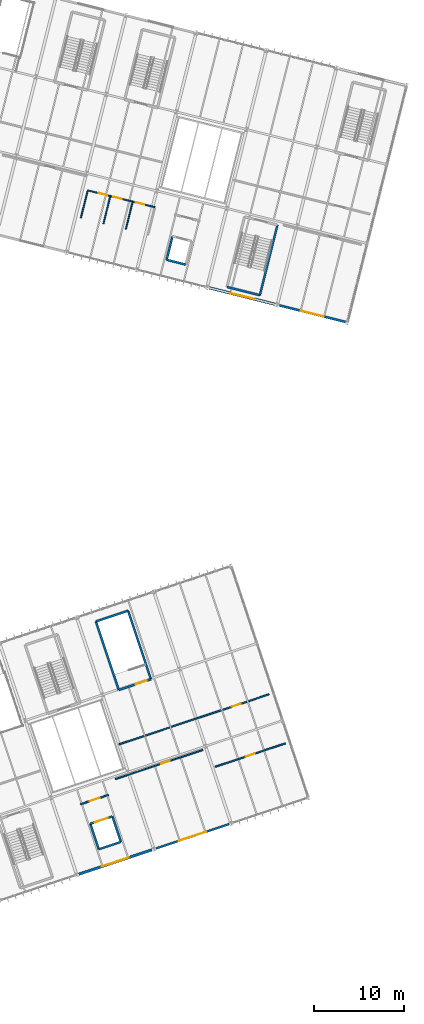
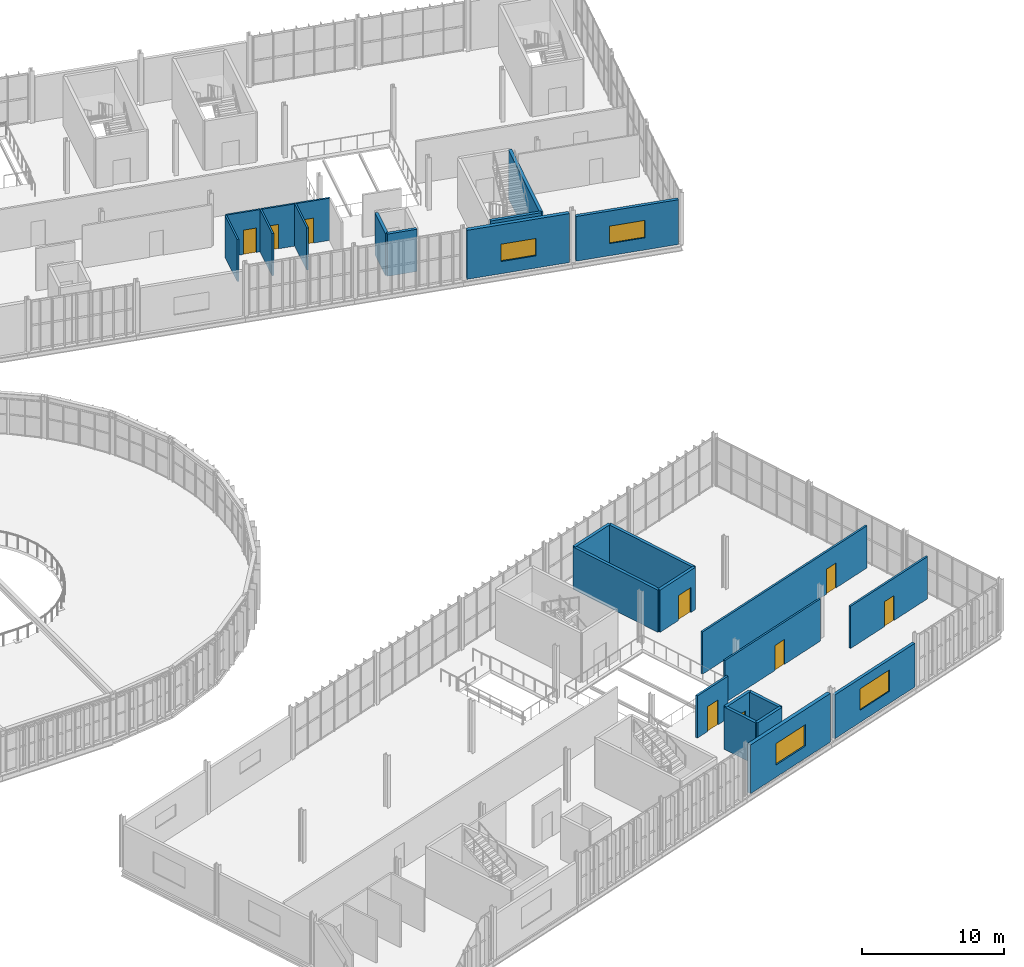
# One storey, part 124 of 152: 26 walls, 9 doors, 4 windows, 13 openings.
"""IFC4 building model written with IfcOpenShell, lengths in metres."""

from ifc_helpers import new_model, si_unit, derived_unit, direction, frame, frame_2d, origin, place, context, subcontext, project, spatial, rectangle, extrude, material, layer, layer_set, type_object, element, fill, save


model = new_model("IFC4")

# Units and contexts
model_context = context("Model", 3, precision=1e-05, world=origin(), true_north=direction((0.0, 1.0)))
body_context = subcontext(model_context, "Body", "Model", "MODEL_VIEW")
ifc_project = project(units=[si_unit("LENGTHUNIT", "METRE"), si_unit("AREAUNIT", "SQUARE_METRE"), si_unit("VOLUMEUNIT", "CUBIC_METRE"), si_unit("PLANEANGLEUNIT", "RADIAN"), si_unit("MASSUNIT", "GRAM", prefix="KILO"), si_unit("THERMODYNAMICTEMPERATUREUNIT", "KELVIN"), si_unit("TIMEUNIT", "SECOND"), derived_unit("THERMALTRANSMITTANCEUNIT", [(si_unit("MASSUNIT", "GRAM", prefix="KILO"), 1), (si_unit("THERMODYNAMICTEMPERATUREUNIT", "KELVIN"), -1), (si_unit("TIMEUNIT", "SECOND"), -3)])], contexts=[model_context])

# Site, building, storey
site_placement = place(None, origin())
site = spatial("IfcSite", under=ifc_project, at=site_placement, CompositionType="ELEMENT")
building_placement = place(site_placement, origin())
building = spatial("IfcBuilding", under=site, at=building_placement, Name="Cambertide Market Hall", CompositionType="ELEMENT")
storey_placement = place(building_placement, frame((0.0, 0.0, 5.39990234375)))
storey = spatial("IfcBuildingStorey", under=building, at=storey_placement, Name="L02", CompositionType="ELEMENT", Elevation=5.39990234375)

# Wall, opening, door
ifc_material_1 = material(Name="Autoclaved Aerated Concrete Blockwork M7.5", Category="masonry")
ifc_layer_1 = layer(ifc_material_1, 0.14990234375, Name="Culinary Classroom Acoustic Partition 150")
ifc_layer_set_1 = layer_set([ifc_layer_1], Name="Autoclaved Aerated Concrete Blockwork M7.5")
wall_type_1 = type_object("IfcWallType", Name="Culinary Classroom Acoustic Partition 150", PredefinedType="PARTITIONING", material=ifc_layer_set_1)
wall_1_placement = place(storey_placement, frame((144.421630859375, 33.977783203125, 0.0), z_axis=(0.0, 0.0, 1.0), x_axis=(0.94868090448, 0.316234946638, 0.0)))
wall_1 = element("IfcWall", 1, at=wall_1_placement, inside=storey, type_object=wall_type_1, Name="Level 2 Interior Wall IW-L02-V3S2", PredefinedType="PARTITIONING", context=body_context, shape_type="SweptSolid", body=[
    extrude(rectangle(XDim=10.199951171875, YDim=0.14990234375, at=frame_2d((5.10009765625, 0.0))), origin(), (0.0, 0.0, 1.0), 3.64013671875),
])
opening_1_placement = place(wall_1_placement, frame((5.3359375, 0.0, 0.0)))
opening_1 = element("IfcOpeningElement", 2, at=opening_1_placement, cuts=wall_1, Name="Opening ID-03", PredefinedType="OPENING", context=body_context, shape_type="SweptSolid", body=[
    extrude(rectangle(XDim=1.0, YDim=2.14990234375, at=frame_2d((0.5, 1.074951171875))), frame((0.0, 0.0849609375, 0.0), z_axis=(0.0, -1.0, 0.0), x_axis=(1.0, 0.0, 0.0)), (0.0, 0.0, 1.0), 0.169921875),
])
ifc_material_2 = material(Name="Champagne Marine Anodized Aluminium 6063-T6 AA25", Category="aluminium")
door_type_1 = type_object("IfcDoorType", Name="Accessible Room Single Door 1000x2150", OperationType="NOTDEFINED", PredefinedType="DOOR", material=ifc_material_2)
door_1_placement = place(opening_1_placement, origin())
door_1 = element("IfcDoor", 3, at=door_1_placement, inside=storey, type_object=door_type_1, Name="Level 2 Door IW-L02-V3S2-DR1", OperationType="SINGLE_SWING_LEFT", OverallHeight=2.14990234375, OverallWidth=1.0, PredefinedType="DOOR", context=body_context, shape_type="SweptSolid", body=[
    extrude(rectangle(XDim=1.0, YDim=2.14990234375, at=frame_2d((0.5, 1.074951171875))), frame((0.0, 0.02490234375, 0.0), z_axis=(0.0, -1.0, 0.0), x_axis=(1.0, 0.0, 0.0)), (0.0, 0.0, 1.0), 0.050048828125),
])
fill(opening_1, door_1)

ifc_material_3 = material(Name="Autoclaved Aerated Concrete Blockwork M7.5", Category="masonry")
ifc_layer_2 = layer(ifc_material_3, 0.159912109375, Name="Fire-Rated Corridor & Kitchen Partition 160")
ifc_layer_set_2 = layer_set([ifc_layer_2], Name="Autoclaved Aerated Concrete Blockwork M7.5")
wall_type_2 = type_object("IfcWallType", Name="Fire-Rated Corridor & Kitchen Partition 160", PredefinedType="PARTITIONING", material=ifc_layer_set_2)
wall_2_placement = place(storey_placement, frame((144.826416015625, 37.8232421875, 0.0), z_axis=(0.0, 0.0, 1.0), x_axis=(0.948684693125, 0.316223580763, 0.0)))
wall_2 = element("IfcWall", 4, at=wall_2_placement, inside=storey, type_object=wall_type_2, Name="Level 2 Interior Wall IW-L02-V3C-45", PredefinedType="PARTITIONING", context=body_context, shape_type="SweptSolid", body=[
    extrude(rectangle(XDim=17.5, YDim=0.159912109375, at=frame_2d((8.75, 0.0))), origin(), (0.0, 0.0, 1.0), 3.64013671875),
])
opening_2_placement = place(wall_2_placement, frame((13.159912109375, 0.0, 0.0)))
opening_2 = element("IfcOpeningElement", 5, at=opening_2_placement, cuts=wall_2, Name="Opening KD-01", PredefinedType="OPENING", context=body_context, shape_type="SweptSolid", body=[
    extrude(rectangle(XDim=1.050048828125, YDim=2.14990234375, at=frame_2d((0.52490234375, 1.074951171875))), frame((0.0, 0.08984375, 0.0), z_axis=(0.0, -1.0, 0.0), x_axis=(1.0, 0.0, 0.0)), (0.0, 0.0, 1.0), 0.179931640625),
])
ifc_material_4 = material(Name="Stainless Steel Grade 316", Category="metal")
door_type_2 = type_object("IfcDoorType", Name="Kitchen & Lab Fire Door 1050x2150", OperationType="NOTDEFINED", PredefinedType="DOOR", material=ifc_material_4)
door_2_placement = place(opening_2_placement, origin())
door_2 = element("IfcDoor", 6, at=door_2_placement, inside=storey, type_object=door_type_2, Name="Level 2 Door IW-L02-V3C-45-DR1", OperationType="SINGLE_SWING_LEFT", OverallHeight=2.14990234375, OverallWidth=1.050048828125, PredefinedType="DOOR", context=body_context, shape_type="SweptSolid", body=[
    extrude(rectangle(XDim=1.050048828125, YDim=2.14990234375, at=frame_2d((0.52490234375, 1.074951171875))), frame((0.0, 0.02490234375, 0.0), z_axis=(0.0, -1.0, 0.0), x_axis=(1.0, 0.0, 0.0)), (0.0, 0.0, 1.0), 0.050048828125),
])
fill(opening_2, door_2)

wall_3_placement = place(storey_placement, frame((155.4580078125, 35.337646484375, 0.0), z_axis=(0.0, 0.0, 1.0), x_axis=(0.948686275307, 0.316218834108, 0.0)))
wall_3 = element("IfcWall", 7, at=wall_3_placement, inside=storey, type_object=wall_type_2, Name="Level 2 Interior Wall IW-L02-V3P", PredefinedType="PARTITIONING", context=body_context, shape_type="SweptSolid", body=[
    extrude(rectangle(XDim=8.199951171875, YDim=0.159912109375, at=frame_2d((4.10009765625, 0.0))), origin(), (0.0, 0.0, 1.0), 3.64013671875),
])
opening_3_placement = place(wall_3_placement, frame((3.574951171875, 0.0, 0.0)))
opening_3 = element("IfcOpeningElement", 8, at=opening_3_placement, cuts=wall_3, Name="Opening KD-01", PredefinedType="OPENING", context=body_context, shape_type="SweptSolid", body=[
    extrude(rectangle(XDim=1.050048828125, YDim=2.14990234375, at=frame_2d((0.52490234375, 1.074951171875))), frame((0.0, 0.08984375, 0.0), z_axis=(0.0, -1.0, 0.0), x_axis=(1.0, 0.0, 0.0)), (0.0, 0.0, 1.0), 0.179931640625),
])
door_3_placement = place(opening_3_placement, origin())
door_3 = element("IfcDoor", 9, at=door_3_placement, inside=storey, type_object=door_type_2, Name="Level 2 Door IW-L02-V3P-DR1", OperationType="SINGLE_SWING_RIGHT", OverallHeight=2.14990234375, OverallWidth=1.050048828125, PredefinedType="DOOR", context=body_context, shape_type="SweptSolid", body=[
    extrude(rectangle(XDim=1.050048828125, YDim=2.14990234375, at=frame_2d((0.52490234375, 1.074951171875))), frame((0.0, 0.02490234375, 0.0), z_axis=(0.0, -1.0, 0.0), x_axis=(1.0, 0.0, 0.0)), (0.0, 0.0, 1.0), 0.050048828125),
])
fill(opening_3, door_3)

# Wall, opening, window
ifc_material_5 = material(Name="Autoclaved Aerated Concrete Blockwork M7.5", Category="masonry")
ifc_layer_3 = layer(ifc_material_5, 0.235107421875, Name="Food Court Acoustic Facade Wall 235")
ifc_layer_set_3 = layer_set([ifc_layer_3], Name="Autoclaved Aerated Concrete Blockwork M7.5")
wall_type_3 = type_object("IfcWallType", Name="Food Court Acoustic Facade Wall 235", PredefinedType="SOLIDWALL", material=ifc_layer_set_3)
wall_4_placement = place(storey_placement, frame((157.001220703125, 29.00048828125, 0.0), z_axis=(0.0, 0.0, 1.0), x_axis=(-0.948680432514, -0.316236362498, 0.0)))
wall_4 = element("IfcWall", 10, at=wall_4_placement, inside=storey, type_object=wall_type_3, Name="Level 2 Exterior Wall EW-L02-V3S-6", PredefinedType="SOLIDWALL", context=body_context, shape_type="SweptSolid", body=[
    extrude(rectangle(XDim=8.52001953125, YDim=0.235107421875, at=frame_2d((4.260009765625, 0.0))), origin(), (0.0, 0.0, 1.0), 3.775146484375),
])
opening_4_placement = place(wall_4_placement, frame((2.68505859375, 0.0, 1.050048828125)))
opening_4 = element("IfcOpeningElement", 11, at=opening_4_placement, cuts=wall_4, Name="Opening WN-04B", PredefinedType="OPENING", context=body_context, shape_type="SweptSolid", body=[
    extrude(rectangle(XDim=3.14990234375, YDim=1.85009765625, at=frame_2d((1.574951171875, 0.925048828125))), frame((0.0, 0.12744140625, 0.0), z_axis=(0.0, -1.0, 0.0), x_axis=(1.0, 0.0, 0.0)), (0.0, 0.0, 1.0), 0.255126953125),
])
ifc_material_6 = material(Name="Low-E Laminated Insulated Glass", Category="glass")
window_type_1 = type_object("IfcWindowType", Name="Riverfront Gallery Window 3150x1850", PartitioningType="SINGLE_PANEL", PredefinedType="WINDOW", material=ifc_material_6)
window_1_placement = place(opening_4_placement, origin())
window_1 = element("IfcWindow", 12, at=window_1_placement, inside=storey, type_object=window_type_1, Name="Level 2 Window EW-L02-V3S-6-WN", OverallHeight=1.85009765625, OverallWidth=3.14990234375, PartitioningType="SINGLE_PANEL", PredefinedType="WINDOW", context=body_context, shape_type="SweptSolid", body=[
    extrude(rectangle(XDim=3.14990234375, YDim=1.85009765625, at=frame_2d((1.574951171875, 0.925048828125))), frame((0.0, 0.030029296875, 0.0), z_axis=(0.0, -1.0, 0.0), x_axis=(1.0, 0.0, 0.0)), (0.0, 0.0, 1.0), 0.06005859375),
])
fill(opening_4, window_1)

ifc_material_7 = material(Name="Autoclaved Aerated Concrete Blockwork M7.5", Category="masonry")
ifc_layer_4 = layer(ifc_material_7, 0.25, Name="Insulated AAC Exterior Infill Wall 250")
ifc_layer_set_4 = layer_set([ifc_layer_4], Name="Autoclaved Aerated Concrete Blockwork M7.5")
wall_type_4 = type_object("IfcWallType", Name="Insulated AAC Exterior Infill Wall 250", PredefinedType="SOLIDWALL", material=ifc_layer_set_4)
wall_5_placement = place(storey_placement, frame((169.856201171875, 84.535888671875, 0.0), z_axis=(0.0, 0.0, 1.0), x_axis=(-0.970138680536, 0.242550902961, 0.0)))
wall_5 = element("IfcWall", 13, at=wall_5_placement, inside=storey, type_object=wall_type_4, Name="Level 2 Exterior Wall EW-L02-V4S-8", PredefinedType="SOLIDWALL", context=body_context, shape_type="SweptSolid", body=[
    extrude(rectangle(XDim=7.52001953125, YDim=0.25, at=frame_2d((3.760009765625, 0.0))), origin(), (0.0, 0.0, 1.0), 3.85498046875),
])
opening_5_placement = place(wall_5_placement, frame((2.4599609375, 0.0, 1.050048828125)))
opening_5 = element("IfcOpeningElement", 14, at=opening_5_placement, cuts=wall_5, Name="Opening WN-06", PredefinedType="OPENING", context=body_context, shape_type="SweptSolid", body=[
    extrude(rectangle(XDim=2.60009765625, YDim=1.5, at=frame_2d((1.300048828125, 0.75))), frame((0.0, 0.135009765625, 0.0), z_axis=(0.0, -1.0, 0.0), x_axis=(1.0, 0.0, 0.0)), (0.0, 0.0, 1.0), 0.27001953125),
])
ifc_material_8 = material(Name="Low-E Laminated Insulated Glass", Category="glass")
window_type_2 = type_object("IfcWindowType", Name="Food Safety Lab Window 2600x1500", PartitioningType="SINGLE_PANEL", PredefinedType="WINDOW", material=ifc_material_8)
window_2_placement = place(opening_5_placement, origin())
window_2 = element("IfcWindow", 15, at=window_2_placement, inside=storey, type_object=window_type_2, Name="Level 2 Window EW-L02-V4S-8-WN", OverallHeight=1.5, OverallWidth=2.60009765625, PartitioningType="SINGLE_PANEL", PredefinedType="WINDOW", context=body_context, shape_type="SweptSolid", body=[
    extrude(rectangle(XDim=2.60009765625, YDim=1.5, at=frame_2d((1.300048828125, 0.75))), frame((0.0, 0.030029296875, 0.0), z_axis=(0.0, -1.0, 0.0), x_axis=(1.0, 0.0, 0.0)), (0.0, 0.0, 1.0), 0.06005859375),
])
fill(opening_5, window_2)

# Wall, opening, door
ifc_material_9 = material(Name="Autoclaved Aerated Concrete Blockwork M7.5", Category="masonry")
ifc_layer_5 = layer(ifc_material_9, 0.169921875, Name="Lift Lobby Fire Partition 170")
ifc_layer_set_5 = layer_set([ifc_layer_5], Name="Autoclaved Aerated Concrete Blockwork M7.5")
wall_type_5 = type_object("IfcWallType", Name="Lift Lobby Fire Partition 170", PredefinedType="PARTITIONING", material=ifc_layer_set_5)
wall_6_placement = place(storey_placement, frame((140.5732421875, 31.1982421875, 0.0), z_axis=(0.0, 0.0, 1.0), x_axis=(0.948698274856, 0.316182832053, 0.0)))
wall_6 = element("IfcWall", 16, at=wall_6_placement, inside=storey, type_object=wall_type_5, Name="Level 2 Interior Wall LLW-LG-02-L02", PredefinedType="PARTITIONING", context=body_context, shape_type="SweptSolid", body=[
    extrude(rectangle(XDim=3.260009765625, YDim=0.169921875, at=frame_2d((1.6298828125, 0.0))), origin(), (0.0, 0.0, 1.0), 3.64013671875),
])
opening_6_placement = place(wall_6_placement, frame((1.054931640625, 0.0, 0.0)))
opening_6 = element("IfcOpeningElement", 17, at=opening_6_placement, cuts=wall_6, Name="Opening KD-02", PredefinedType="OPENING", context=body_context, shape_type="SweptSolid", body=[
    extrude(rectangle(XDim=1.14990234375, YDim=2.14990234375, at=frame_2d((0.574951171875, 1.074951171875))), frame((0.0, 0.094970703125, 0.0), z_axis=(0.0, -1.0, 0.0), x_axis=(1.0, 0.0, 0.0)), (0.0, 0.0, 1.0), 0.18994140625),
])
ifc_material_10 = material(Name="Stainless Steel Grade 316", Category="metal")
door_type_3 = type_object("IfcDoorType", Name="Lift Lobby Smoke-Stop Door 1150x2150", OperationType="NOTDEFINED", PredefinedType="DOOR", material=ifc_material_10)
door_4_placement = place(opening_6_placement, origin())
door_4 = element("IfcDoor", 18, at=door_4_placement, inside=storey, type_object=door_type_3, Name="Level 2 Door LLW-LG-02-L02-DR1", OperationType="SINGLE_SWING_RIGHT", OverallHeight=2.14990234375, OverallWidth=1.14990234375, PredefinedType="DOOR", context=body_context, shape_type="SweptSolid", body=[
    extrude(rectangle(XDim=1.14990234375, YDim=2.14990234375, at=frame_2d((0.574951171875, 1.074951171875))), frame((0.0, 0.02490234375, 0.0), z_axis=(0.0, -1.0, 0.0), x_axis=(1.0, 0.0, 0.0)), (0.0, 0.0, 1.0), 0.050048828125),
])
fill(opening_6, door_4)

ifc_material_11 = material(Name="Autoclaved Aerated Concrete Blockwork M7.5", Category="masonry")
ifc_layer_6 = layer(ifc_material_11, 0.139892578125, Name="Sanitary & Wet-Area Masonry Partition 140")
ifc_layer_set_6 = layer_set([ifc_layer_6], Name="Autoclaved Aerated Concrete Blockwork M7.5")
wall_type_6 = type_object("IfcWallType", Name="Sanitary & Wet-Area Masonry Partition 140", PredefinedType="PARTITIONING", material=ifc_layer_set_6)
wall_7_placement = place(storey_placement, frame((141.372802734375, 99.078369140625, 0.0), z_axis=(0.0, 0.0, 1.0), x_axis=(0.970148131734, -0.242513097571, 0.0)))
wall_7 = element("IfcWall", 19, at=wall_7_placement, inside=storey, type_object=wall_type_6, Name="Level 2 Interior Wall WCW-L02-L02B-F1", PredefinedType="PARTITIONING", context=body_context, shape_type="SweptSolid", body=[
    extrude(rectangle(XDim=2.550048828125, YDim=0.139892578125, at=frame_2d((1.27490234375, 0.0))), origin(), (0.0, 0.0, 1.0), 3.64013671875),
])
opening_7_placement = place(wall_7_placement, frame((1.280029296875, 0.0, 0.0)))
opening_7 = element("IfcOpeningElement", 20, at=opening_7_placement, cuts=wall_7, Name="Opening ID-04", PredefinedType="OPENING", context=body_context, shape_type="SweptSolid", body=[
    extrude(rectangle(XDim=0.949951171875, YDim=2.10009765625, at=frame_2d((0.47509765625, 1.050048828125))), frame((0.0, 0.079833984375, 0.0), z_axis=(0.0, -1.0, 0.0), x_axis=(1.0, 0.0, 0.0)), (0.0, 0.0, 1.0), 0.159912109375),
])
ifc_material_12 = material(Name="Champagne Marine Anodized Aluminium 6063-T6 AA25", Category="aluminium")
door_type_4 = type_object("IfcDoorType", Name="WC & Office Single Door 950x2100", OperationType="NOTDEFINED", PredefinedType="DOOR", material=ifc_material_12)
door_5_placement = place(opening_7_placement, origin())
door_5 = element("IfcDoor", 21, at=door_5_placement, inside=storey, type_object=door_type_4, Name="Level 2 Door WCW-L02-L02B-F1-DR1", OperationType="SINGLE_SWING_RIGHT", OverallHeight=2.10009765625, OverallWidth=0.949951171875, PredefinedType="DOOR", context=body_context, shape_type="SweptSolid", body=[
    extrude(rectangle(XDim=0.949951171875, YDim=2.10009765625, at=frame_2d((0.47509765625, 1.050048828125))), frame((0.0, 0.02490234375, 0.0), z_axis=(0.0, -1.0, 0.0), x_axis=(1.0, 0.0, 0.0)), (0.0, 0.0, 1.0), 0.050048828125),
])
fill(opening_7, door_5)

wall_8_placement = place(storey_placement, frame((143.895263671875, 98.44775390625, 0.0), z_axis=(0.0, 0.0, 1.0), x_axis=(0.970153988463, -0.242489667139, 0.0)))
wall_8 = element("IfcWall", 22, at=wall_8_placement, inside=storey, type_object=wall_type_6, Name="Level 2 Interior Wall WCW-L02-L02B-F2", PredefinedType="PARTITIONING", context=body_context, shape_type="SweptSolid", body=[
    extrude(rectangle(XDim=2.5, YDim=0.139892578125, at=frame_2d((1.25, 0.0))), origin(), (0.0, 0.0, 1.0), 3.64013671875),
])
opening_8_placement = place(wall_8_placement, frame((0.320068359375, 0.0, 0.0)))
opening_8 = element("IfcOpeningElement", 23, at=opening_8_placement, cuts=wall_8, Name="Opening ID-04", PredefinedType="OPENING", context=body_context, shape_type="SweptSolid", body=[
    extrude(rectangle(XDim=0.949951171875, YDim=2.10009765625, at=frame_2d((0.47509765625, 1.050048828125))), frame((0.0, 0.079833984375, 0.0), z_axis=(0.0, -1.0, 0.0), x_axis=(1.0, 0.0, 0.0)), (0.0, 0.0, 1.0), 0.159912109375),
])
door_6_placement = place(opening_8_placement, origin())
door_6 = element("IfcDoor", 24, at=door_6_placement, inside=storey, type_object=door_type_4, Name="Level 2 Door WCW-L02-L02B-F2-DR1", OperationType="SINGLE_SWING_LEFT", OverallHeight=2.10009765625, OverallWidth=0.949951171875, PredefinedType="DOOR", context=body_context, shape_type="SweptSolid", body=[
    extrude(rectangle(XDim=0.949951171875, YDim=2.10009765625, at=frame_2d((0.47509765625, 1.050048828125))), frame((0.0, 0.02490234375, 0.0), z_axis=(0.0, -1.0, 0.0), x_axis=(1.0, 0.0, 0.0)), (0.0, 0.0, 1.0), 0.050048828125),
])
fill(opening_8, door_6)

wall_9_placement = place(storey_placement, frame((146.369140625, 97.829345703125, 0.0), z_axis=(0.0, 0.0, 1.0), x_axis=(0.970131009923, -0.242581581301, 0.0)))
wall_9 = element("IfcWall", 25, at=wall_9_placement, inside=storey, type_object=wall_type_6, Name="Level 2 Interior Wall WCW-L02-L02B-F3", PredefinedType="PARTITIONING", context=body_context, shape_type="SweptSolid", body=[
    extrude(rectangle(XDim=2.5, YDim=0.139892578125, at=frame_2d((1.25, 0.0))), origin(), (0.0, 0.0, 1.0), 3.64013671875),
])
opening_9_placement = place(wall_9_placement, frame((0.320068359375, 0.0, 0.0)))
opening_9 = element("IfcOpeningElement", 26, at=opening_9_placement, cuts=wall_9, Name="Opening ID-05", PredefinedType="OPENING", context=body_context, shape_type="SweptSolid", body=[
    extrude(rectangle(XDim=0.97998046875, YDim=2.14990234375, at=frame_2d((0.489990234375, 1.074951171875))), frame((0.0, 0.079833984375, 0.0), z_axis=(0.0, -1.0, 0.0), x_axis=(1.0, 0.0, 0.0)), (0.0, 0.0, 1.0), 0.159912109375),
])
ifc_material_13 = material(Name="Champagne Marine Anodized Aluminium 6063-T6 AA25", Category="aluminium")
door_type_5 = type_object("IfcDoorType", Name="Accessible WC Outward Door 980x2150", OperationType="NOTDEFINED", PredefinedType="DOOR", material=ifc_material_13)
door_7_placement = place(opening_9_placement, origin())
door_7 = element("IfcDoor", 27, at=door_7_placement, inside=storey, type_object=door_type_5, Name="Level 2 Door WCW-L02-L02B-F3-DR1", OperationType="SINGLE_SWING_RIGHT", OverallHeight=2.14990234375, OverallWidth=0.97998046875, PredefinedType="DOOR", context=body_context, shape_type="SweptSolid", body=[
    extrude(rectangle(XDim=0.97998046875, YDim=2.14990234375, at=frame_2d((0.489990234375, 1.074951171875))), frame((0.0, 0.02490234375, 0.0), z_axis=(0.0, -1.0, 0.0), x_axis=(1.0, 0.0, 0.0)), (0.0, 0.0, 1.0), 0.050048828125),
])
fill(opening_9, door_7)

# Walls
wall_10_placement = place(storey_placement, frame((143.102294921875, 95.399169921875, 0.0), z_axis=(0.0, 0.0, 1.0), x_axis=(0.242498561862, 0.970151765187, 0.0)))
element("IfcWall", 28, at=wall_10_placement, inside=storey, type_object=wall_type_6, Name="Level 2 Interior Wall WCW-L02-L02B-D1", PredefinedType="PARTITIONING", context=body_context, shape_type="SweptSolid", body=[
    extrude(rectangle(XDim=3.099853515625, YDim=0.139892578125, at=frame_2d((1.5498046875, 0.0))), origin(), (0.0, 0.0, 1.0), 3.64013671875),
])
wall_11_placement = place(storey_placement, frame((145.575927734375, 94.780517578125, 0.0), z_axis=(0.0, 0.0, 1.0), x_axis=(0.242554154721, 0.970137867536, 0.0)))
element("IfcWall", 29, at=wall_11_placement, inside=storey, type_object=wall_type_6, Name="Level 2 Interior Wall WCW-L02-L02B-D2", PredefinedType="PARTITIONING", context=body_context, shape_type="SweptSolid", body=[
    extrude(rectangle(XDim=3.10009765625, YDim=0.139892578125, at=frame_2d((1.550048828125, 0.0))), origin(), (0.0, 0.0, 1.0), 3.64013671875),
])
wall_12_placement = place(storey_placement, frame((140.60888671875, 96.0224609375, 0.0), z_axis=(0.0, 0.0, 1.0), x_axis=(0.242572687149, 0.970133233865, 0.0)))
element("IfcWall", 30, at=wall_12_placement, inside=storey, type_object=wall_type_6, Name="Level 2 Interior Wall WCW-L02-L02B-L", PredefinedType="PARTITIONING", context=body_context, shape_type="SweptSolid", body=[
    extrude(rectangle(XDim=3.099853515625, YDim=0.139892578125, at=frame_2d((1.5498046875, 0.0))), origin(), (0.0, 0.0, 1.0), 3.64013671875),
])

# Wall, opening, door
ifc_material_14 = material(Name="Concrete B35", Category="concrete")
ifc_layer_7 = layer(ifc_material_14, 0.239990234375, Name="Stair & Lift Core Shaft Wall 240")
ifc_layer_set_7 = layer_set([ifc_layer_7], Name="Concrete B35")
wall_type_7 = type_object("IfcWallType", Name="Stair & Lift Core Shaft Wall 240", PredefinedType="SOLIDWALL", material=ifc_layer_set_7)
wall_13_placement = place(storey_placement, frame((148.358642578125, 45.01416015625, 0.0), z_axis=(0.0, 0.0, 1.0), x_axis=(-0.94868980821, -0.316208234867, 0.0)))
wall_13 = element("IfcWall", 31, at=wall_13_placement, inside=storey, type_object=wall_type_7, Name="Level 2 Interior Wall SHW-ST-05B-L02-NEAR", PredefinedType="SOLIDWALL", context=body_context, shape_type="SweptSolid", body=[
    extrude(rectangle(XDim=3.75, YDim=0.239990234375, at=frame_2d((1.875, 0.0))), origin(), (0.0, 0.0, 1.0), 3.64013671875),
])
opening_10_placement = place(wall_13_placement, frame((0.489990234375, 0.0, 0.0)))
opening_10 = element("IfcOpeningElement", 32, at=opening_10_placement, cuts=wall_13, Name="Opening FD-01", PredefinedType="OPENING", context=body_context, shape_type="SweptSolid", body=[
    extrude(rectangle(XDim=1.300048828125, YDim=2.14990234375, at=frame_2d((0.64990234375, 1.074951171875))), frame((0.0, 0.1298828125, 0.0), z_axis=(0.0, -1.0, 0.0), x_axis=(1.0, 0.0, 0.0)), (0.0, 0.0, 1.0), 0.260009765625),
])
ifc_material_15 = material(Name="Powder-Coated Galvanized Sheet Metal", Category="metal")
door_type_6 = type_object("IfcDoorType", Name="Stair Core Fire Door 1300x2150", OperationType="NOTDEFINED", PredefinedType="DOOR", material=ifc_material_15)
door_8_placement = place(opening_10_placement, origin())
door_8 = element("IfcDoor", 33, at=door_8_placement, inside=storey, type_object=door_type_6, Name="Level 2 Door SHW-ST-05B-L02-NEAR-DR1", OperationType="SINGLE_SWING_RIGHT", OverallHeight=2.14990234375, OverallWidth=1.300048828125, PredefinedType="DOOR", context=body_context, shape_type="SweptSolid", body=[
    extrude(rectangle(XDim=1.300048828125, YDim=2.14990234375, at=frame_2d((0.64990234375, 1.074951171875))), frame((0.0, 0.02490234375, 0.0), z_axis=(0.0, -1.0, 0.0), x_axis=(1.0, 0.0, 0.0)), (0.0, 0.0, 1.0), 0.050048828125),
])
fill(opening_10, door_8)

# Walls
wall_14_placement = place(storey_placement, frame((145.828857421875, 52.603515625, 0.0), z_axis=(0.0, 0.0, 1.0), x_axis=(0.316227766017, -0.948683298051, 0.0)))
element("IfcWall", 34, at=wall_14_placement, inside=storey, type_object=wall_type_7, Name="Level 2 Interior Wall SHW-ST-05B-L02-L", PredefinedType="SOLIDWALL", context=body_context, shape_type="SweptSolid", body=[
    extrude(rectangle(XDim=8.0, YDim=0.239990234375, at=frame_2d((4.0, 0.0))), origin(), (0.0, 0.0, 1.0), 3.64013671875),
])
wall_15_placement = place(storey_placement, frame((142.271240234375, 51.417724609375, 0.0), z_axis=(0.0, 0.0, 1.0), x_axis=(0.94868980821, 0.316208234867, 0.0)))
element("IfcWall", 35, at=wall_15_placement, inside=storey, type_object=wall_type_7, Name="Level 2 Interior Wall SHW-ST-05B-L02-FAR", PredefinedType="SOLIDWALL", context=body_context, shape_type="SweptSolid", body=[
    extrude(rectangle(XDim=3.75, YDim=0.239990234375, at=frame_2d((1.875, 0.0))), origin(), (0.0, 0.0, 1.0), 3.64013671875),
])
wall_16_placement = place(storey_placement, frame((144.801025390625, 43.828369140625, 0.0), z_axis=(0.0, 0.0, 1.0), x_axis=(-0.316227766017, 0.948683298051, 0.0)))
element("IfcWall", 36, at=wall_16_placement, inside=storey, type_object=wall_type_7, Name="Level 2 Interior Wall SHW-ST-05B-L02-R", PredefinedType="SOLIDWALL", context=body_context, shape_type="SweptSolid", body=[
    extrude(rectangle(XDim=8.0, YDim=0.239990234375, at=frame_2d((4.0, 0.0))), origin(), (0.0, 0.0, 1.0), 3.64013671875),
])
wall_17_placement = place(storey_placement, frame((160.406005859375, 87.4912109375, 0.0), z_axis=(0.0, 0.0, 1.0), x_axis=(-0.970150158722, 0.242504988675, 0.0)))
element("IfcWall", 37, at=wall_17_placement, inside=storey, type_object=wall_type_7, Name="Level 2 Interior Wall SHW-ST-08A-L02-FAR", PredefinedType="SOLIDWALL", context=body_context, shape_type="SweptSolid", body=[
    extrude(rectangle(XDim=3.750244140625, YDim=0.239990234375, at=frame_2d((1.875, 0.0))), origin(), (0.0, 0.0, 1.0), 4.255126953125),
])
wall_18_placement = place(storey_placement, frame((162.34619140625, 95.25244140625, 0.0), z_axis=(0.0, 0.0, 1.0), x_axis=(-0.242521263911, -0.970146090314, 0.0)))
element("IfcWall", 38, at=wall_18_placement, inside=storey, type_object=wall_type_7, Name="Level 2 Interior Wall SHW-ST-08A-L02-R", PredefinedType="SOLIDWALL", context=body_context, shape_type="SweptSolid", body=[
    extrude(rectangle(XDim=8.0, YDim=0.239990234375, at=frame_2d((4.0, 0.0))), origin(), (0.0, 0.0, 1.0), 4.255126953125),
])
wall_19_placement = place(storey_placement, frame((152.1875, 90.880615234375, 0.0), z_axis=(0.0, 0.0, 1.0), x_axis=(-0.970135850962, 0.242562220222, 0.0)))
element("IfcWall", 39, at=wall_19_placement, inside=storey, type_object=wall_type_7, Name="Level 2 Interior Wall LSH-LP-04-L02-S", PredefinedType="SOLIDWALL", context=body_context, shape_type="SweptSolid", body=[
    extrude(rectangle(XDim=2.159912109375, YDim=0.239990234375, at=frame_2d((1.080078125, 0.0))), origin(), (0.0, 0.0, 1.0), 3.64013671875),
])
wall_20_placement = place(storey_placement, frame((150.092041015625, 91.404541015625, 0.0), z_axis=(0.0, 0.0, 1.0), x_axis=(0.242578816146, 0.970131701346, 0.0)))
element("IfcWall", 40, at=wall_20_placement, inside=storey, type_object=wall_type_7, Name="Level 2 Interior Wall LSH-LP-04-L02-W", PredefinedType="SOLIDWALL", context=body_context, shape_type="SweptSolid", body=[
    extrude(rectangle(XDim=2.659912109375, YDim=0.239990234375, at=frame_2d((1.330078125, 0.0))), origin(), (0.0, 0.0, 1.0), 3.64013671875),
])
wall_21_placement = place(storey_placement, frame((145.02880859375, 27.033447265625, 0.0), z_axis=(0.0, 0.0, 1.0), x_axis=(-0.948683298051, -0.316227766017, 0.0)))
element("IfcWall", 41, at=wall_21_placement, inside=storey, type_object=wall_type_7, Name="Level 2 Interior Wall LSH-LG-02-L02-S", PredefinedType="SOLIDWALL", context=body_context, shape_type="SweptSolid", body=[
    extrude(rectangle(XDim=2.56005859375, YDim=0.239990234375, at=frame_2d((1.280029296875, 0.0))), origin(), (0.0, 0.0, 1.0), 3.64013671875),
])

# Wall, opening, door
wall_22_placement = place(storey_placement, frame((141.664306640625, 29.031982421875, 0.0), z_axis=(0.0, 0.0, 1.0), x_axis=(0.948673760334, 0.316256377729, 0.0)))
wall_22 = element("IfcWall", 42, at=wall_22_placement, inside=storey, type_object=wall_type_7, Name="Level 2 Interior Wall LSH-LG-02-L02-N", PredefinedType="SOLIDWALL", context=body_context, shape_type="SweptSolid", body=[
    extrude(rectangle(XDim=2.559814453125, YDim=0.239990234375, at=frame_2d((1.27978515625, 0.0))), origin(), (0.0, 0.0, 1.0), 3.64013671875),
])
opening_11_placement = place(wall_22_placement, frame((0.530029296875, 0.0, 0.0)))
opening_11 = element("IfcOpeningElement", 43, at=opening_11_placement, cuts=wall_22, Name="Opening LD-02", PredefinedType="OPENING", context=body_context, shape_type="SweptSolid", body=[
    extrude(rectangle(XDim=1.5, YDim=2.25, at=frame_2d((0.75, 1.125))), frame((0.0, 0.1298828125, 0.0), z_axis=(0.0, -1.0, 0.0), x_axis=(1.0, 0.0, 0.0)), (0.0, 0.0, 1.0), 0.260009765625),
])
ifc_material_16 = material(Name="Stainless Steel Grade 316", Category="metal")
door_type_7 = type_object("IfcDoorType", Name="Goods Lift Sliding Landing Door 1500x2250", OperationType="DOUBLE_DOOR_SLIDING", PredefinedType="DOOR", material=ifc_material_16)
door_9_placement = place(opening_11_placement, origin())
door_9 = element("IfcDoor", 44, at=door_9_placement, inside=storey, type_object=door_type_7, Name="Level 2 Door LSH-LG-02-L02-N-DR1", OperationType="DOUBLE_DOOR_SLIDING", OverallHeight=2.25, OverallWidth=1.5, PredefinedType="DOOR", context=body_context, shape_type="SweptSolid", body=[
    extrude(rectangle(XDim=1.5, YDim=2.25, at=frame_2d((0.75, 1.125))), frame((0.0, 0.02490234375, 0.0), z_axis=(0.0, -1.0, 0.0), x_axis=(1.0, 0.0, 0.0)), (0.0, 0.0, 1.0), 0.050048828125),
])
fill(opening_11, door_9)

# Walls
for number, where, z_axis, x_axis, name in (
    (45, (142.60009765625, 26.223876953125, 0.0), (0.0, 0.0, 1.0), (-0.316153531243, 0.948708039748, 0.0), "Level 2 Interior Wall LSH-LG-02-L02-W"),
    (46, (144.0927734375, 29.841552734375, 0.0), (0.0, 0.0, 1.0), (0.316227766017, -0.948683298051, 0.0), "Level 2 Interior Wall LSH-LG-02-L02-E"),
):
    element("IfcWall", number, at=place(storey_placement, frame(where, z_axis=z_axis, x_axis=x_axis)), inside=storey, type_object=wall_type_7, Name=name, PredefinedType="SOLIDWALL", context=body_context, shape_type="SweptSolid", body=[
        extrude(rectangle(XDim=2.9599609375, YDim=0.239990234375, at=frame_2d((1.47998046875, 0.0))), origin(), (0.0, 0.0, 1.0), 3.64013671875),
    ])

# Wall, opening, window
ifc_material_17 = material(Name="Concrete B35", Category="concrete")
ifc_layer_8 = layer(ifc_material_17, 0.300048828125, Name="Structural Facade Shear Wall 300")
ifc_layer_set_8 = layer_set([ifc_layer_8], Name="Concrete B35")
wall_type_8 = type_object("IfcWallType", Name="Structural Facade Shear Wall 300", PredefinedType="SHEAR", material=ifc_layer_set_8)
wall_23_placement = place(storey_placement, frame((148.463134765625, 26.154296875, 0.0), z_axis=(0.0, 0.0, 1.0), x_axis=(-0.948689028943, -0.316210572821, 0.0)))
wall_23 = element("IfcWall", 47, at=wall_23_placement, inside=storey, type_object=wall_type_8, Name="Level 2 Exterior Wall EW-L02-V3S-5", PredefinedType="SHEAR", context=body_context, shape_type="SweptSolid", body=[
    extrude(rectangle(XDim=8.52001953125, YDim=0.300048828125, at=frame_2d((4.260009765625, 0.0))), origin(), (0.0, 0.0, 1.0), 4.2001953125),
])
opening_12_placement = place(wall_23_placement, frame((2.68505859375, 0.0, 1.050048828125)))
opening_12 = element("IfcOpeningElement", 48, at=opening_12_placement, cuts=wall_23, Name="Opening WN-04B", PredefinedType="OPENING", context=body_context, shape_type="SweptSolid", body=[
    extrude(rectangle(XDim=3.14990234375, YDim=1.85009765625, at=frame_2d((1.574951171875, 0.925048828125))), frame((0.0, 0.159912109375, 0.0), z_axis=(0.0, -1.0, 0.0), x_axis=(1.0, 0.0, 0.0)), (0.0, 0.0, 1.0), 0.320068359375),
])
window_3_placement = place(opening_12_placement, origin())
window_3 = element("IfcWindow", 49, at=window_3_placement, inside=storey, type_object=window_type_1, Name="Level 2 Window EW-L02-V3S-5-WN", OverallHeight=1.85009765625, OverallWidth=3.14990234375, PartitioningType="SINGLE_PANEL", PredefinedType="WINDOW", context=body_context, shape_type="SweptSolid", body=[
    extrude(rectangle(XDim=3.14990234375, YDim=1.85009765625, at=frame_2d((1.574951171875, 0.925048828125))), frame((0.0, 0.030029296875, 0.0), z_axis=(0.0, -1.0, 0.0), x_axis=(1.0, 0.0, 0.0)), (0.0, 0.0, 1.0), 0.06005859375),
])
fill(opening_12, window_3)

wall_24_placement = place(storey_placement, frame((162.09521484375, 86.476318359375, 0.0), z_axis=(0.0, 0.0, 1.0), x_axis=(-0.970148228972, 0.242512708578, 0.0)))
wall_24 = element("IfcWall", 50, at=wall_24_placement, inside=storey, type_object=wall_type_8, Name="Level 2 Exterior Wall EW-L02-V4S-7", PredefinedType="SHEAR", context=body_context, shape_type="SweptSolid", body=[
    extrude(rectangle(XDim=7.520263671875, YDim=0.300048828125, at=frame_2d((3.76025390625, 0.0))), origin(), (0.0, 0.0, 1.0), 4.22021484375),
])
opening_13_placement = place(wall_24_placement, frame((2.4599609375, 0.0, 1.050048828125)))
opening_13 = element("IfcOpeningElement", 51, at=opening_13_placement, cuts=wall_24, Name="Opening WN-06", PredefinedType="OPENING", context=body_context, shape_type="SweptSolid", body=[
    extrude(rectangle(XDim=2.60009765625, YDim=1.5, at=frame_2d((1.300048828125, 0.75))), frame((0.0, 0.159912109375, 0.0), z_axis=(0.0, -1.0, 0.0), x_axis=(1.0, 0.0, 0.0)), (0.0, 0.0, 1.0), 0.320068359375),
])
window_4_placement = place(opening_13_placement, origin())
window_4 = element("IfcWindow", 52, at=window_4_placement, inside=storey, type_object=window_type_2, Name="Level 2 Window EW-L02-V4S-7-WN", OverallHeight=1.5, OverallWidth=2.60009765625, PartitioningType="SINGLE_PANEL", PredefinedType="WINDOW", context=body_context, shape_type="SweptSolid", body=[
    extrude(rectangle(XDim=2.60009765625, YDim=1.5, at=frame_2d((1.300048828125, 0.75))), frame((0.0, 0.030029296875, 0.0), z_axis=(0.0, -1.0, 0.0), x_axis=(1.0, 0.0, 0.0)), (0.0, 0.0, 1.0), 0.06005859375),
])
fill(opening_13, window_4)

save(model, "model.ifc")
